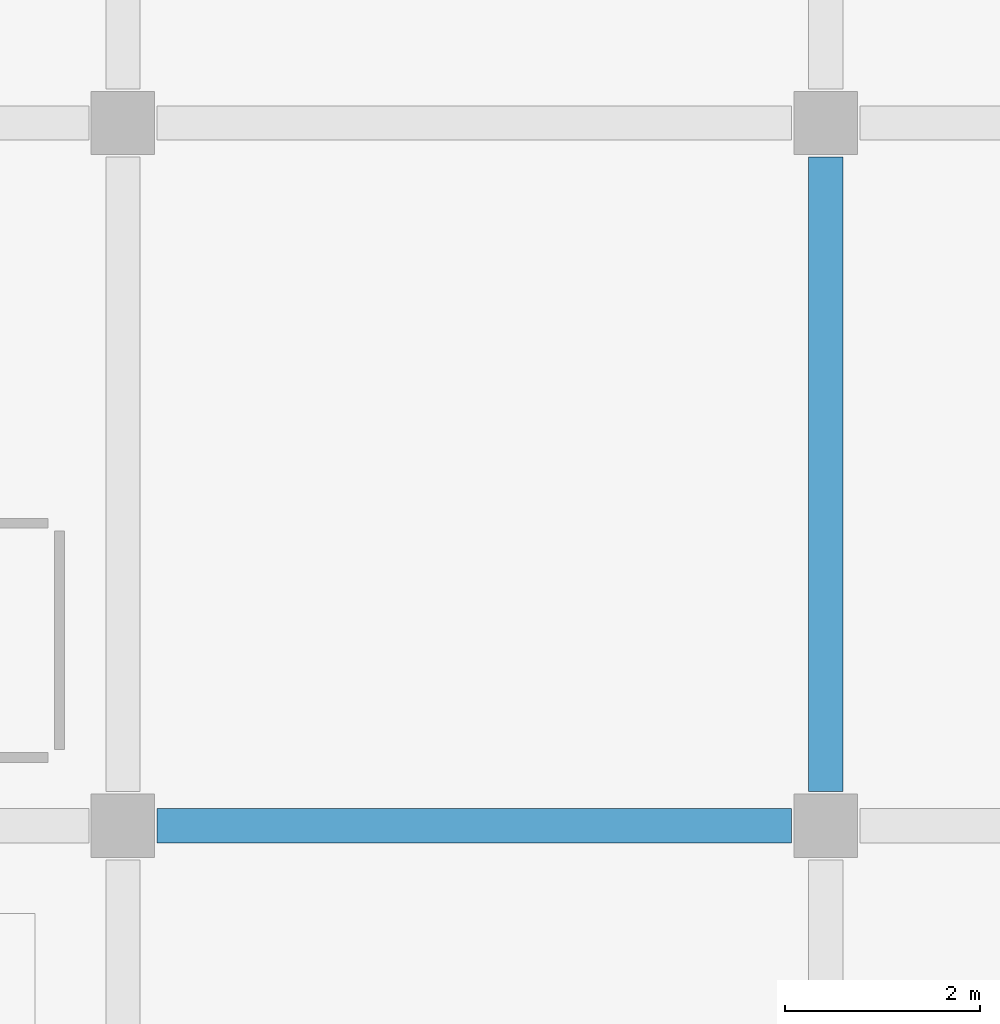
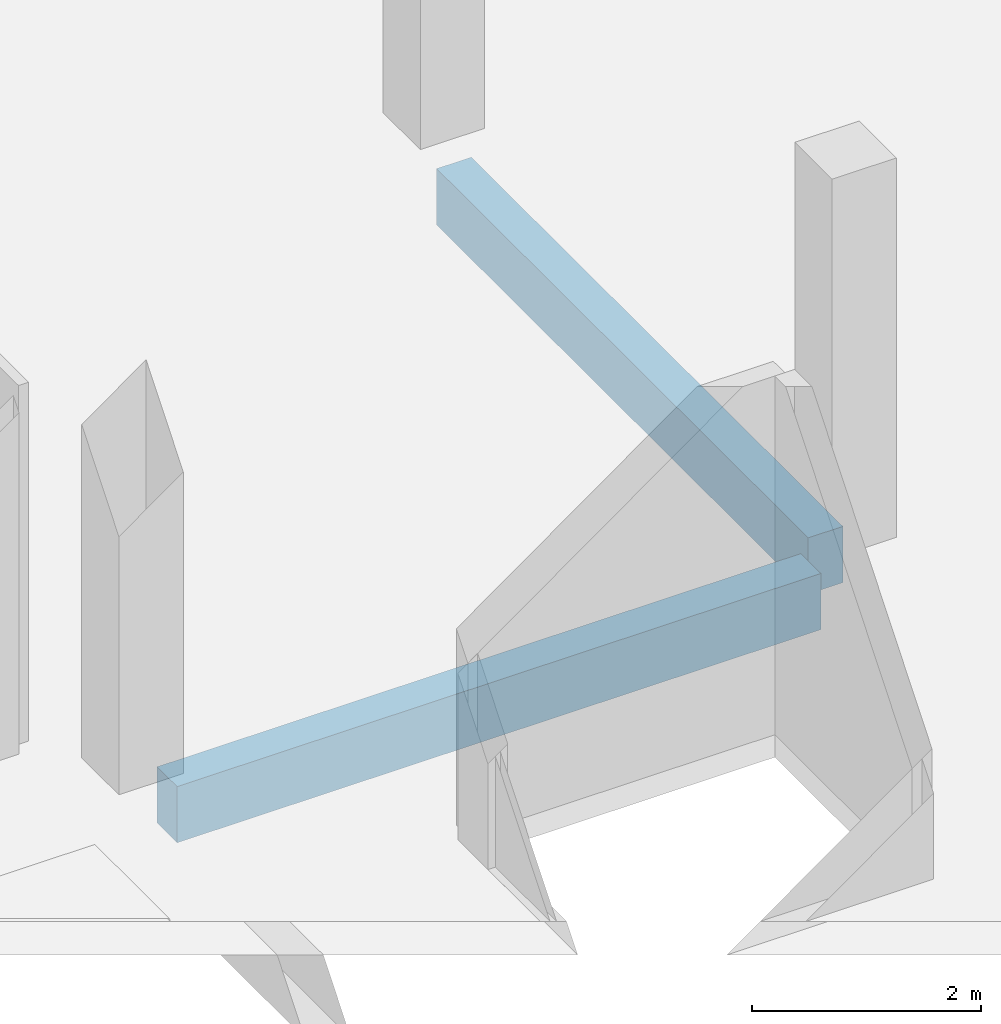
# One storey, part 33 of 77: 2 beams.
"""IFC4 building model written with IfcOpenShell, lengths in metres."""

from ifc_helpers import new_model, si_unit, direction, frame, origin, origin_2d, place, context, subcontext, project, spatial, rectangle, extrude, material, material_profile, profile_set, type_object, element, save


model = new_model("IFC4")

# Units and contexts
model_context = context("Model", 3, precision=1e-05, world=origin(), true_north=direction((0.0, 1.0)))
body_context = subcontext(model_context, "Body", "Model", "MODEL_VIEW")
ifc_project = project(units=[si_unit("LENGTHUNIT", "METRE"), si_unit("AREAUNIT", "SQUARE_METRE"), si_unit("VOLUMEUNIT", "CUBIC_METRE"), si_unit("PLANEANGLEUNIT", "RADIAN"), si_unit("MASSUNIT", "GRAM", prefix="KILO")], contexts=[model_context])

# Site, building, storey
site_placement = place(None, origin())
site = spatial("IfcSite", under=ifc_project, at=site_placement, CompositionType="ELEMENT")
building_placement = place(site_placement, origin())
building = spatial("IfcBuilding", under=site, at=building_placement, Name="Kangsadwip Square Police Headquarters", CompositionType="ELEMENT")
storey_placement = place(building_placement, frame((0.0, 0.0, 17.550048828125)))
storey = spatial("IfcBuildingStorey", under=building, at=storey_placement, Name="L04", CompositionType="ELEMENT", Elevation=17.550048828125)

# Beams
ifc_material = material(Name="Concrete M35 (35 MPa)", Category="concrete")
ifc_material_profile = material_profile(ifc_material, rectangle(XDim=0.35009765625, YDim=0.60009765625, at=origin_2d()), Name="RC BM 600X350")
ifc_profile_set = profile_set([ifc_material_profile], Name="Concrete M35 (35 MPa)")
beam_type = type_object("IfcBeamType", Name="RcBeam600x350", PredefinedType="BEAM", material=ifc_profile_set)
for number, where, z_axis, x_axis, name in (
    (1, (151.550048828125, 72.0, -0.5400390625), (1.0, 0.0, 0.0), (0.0, 1.0, 0.0), "Beam BM-L04-X-21-10"),
    (2, (158.39990234375, 72.35009765625, -0.5400390625), (0.0, 1.0, 0.0), (-1.0, 0.0, 0.0), "Beam BM-L04-Y-22-10"),
):
    element("IfcBeam", number, at=place(storey_placement, frame(where, z_axis=z_axis, x_axis=x_axis)), inside=storey, type_object=beam_type, Name=name, PredefinedType="BEAM", context=body_context, shape_type="SweptSolid", body=[
        extrude(rectangle(XDim=0.35009765625, YDim=0.60009765625, at=origin_2d()), origin(), (0.0, 0.0, 1.0), 6.5),
    ])

save(model, "model.ifc")
